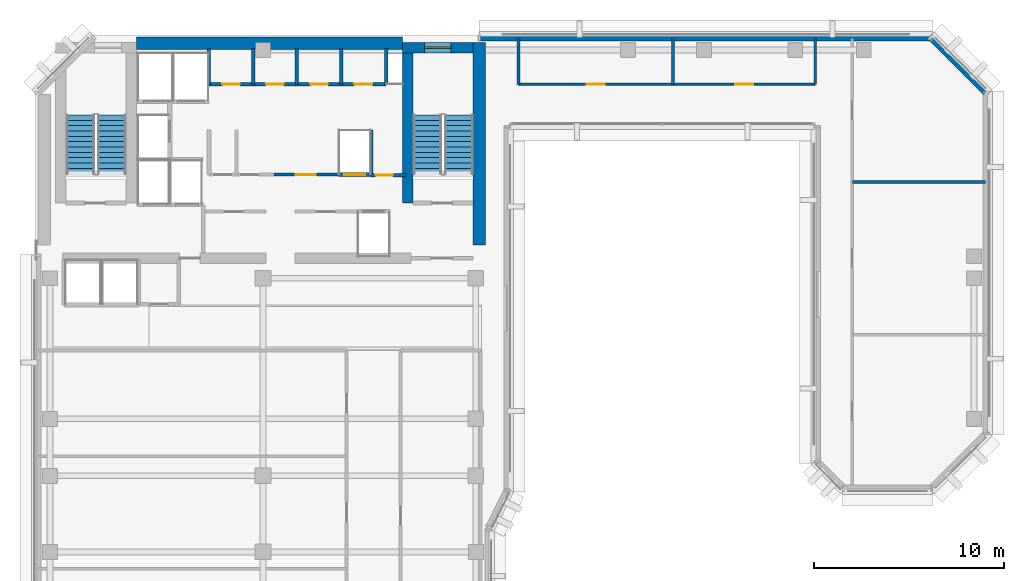
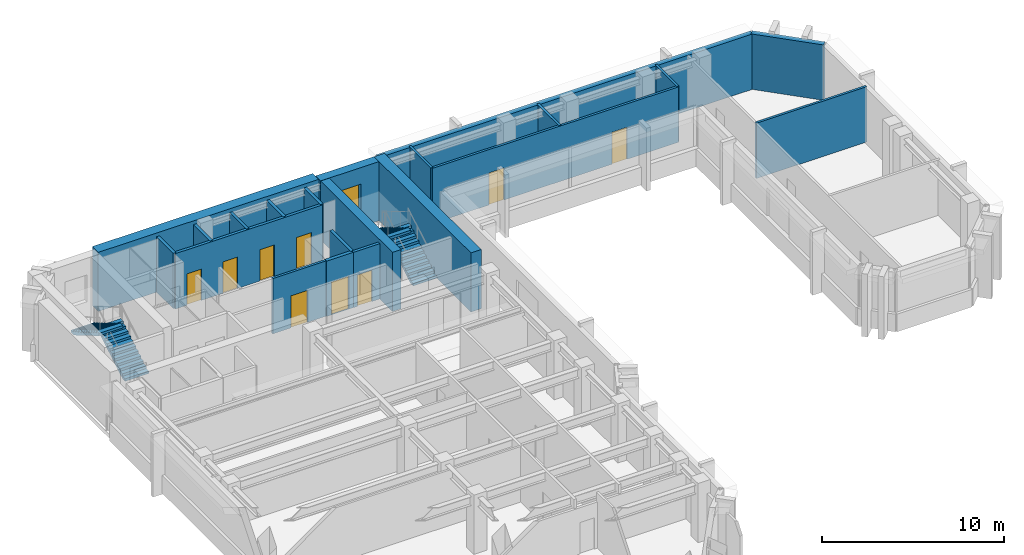
# One storey, part 7 of 11: 21 walls, 9 doors, 4 stair flights, 1 window, 10 openings, 2 elements without a shape of their own.
"""IFC4 building model written with IfcOpenShell, lengths in metres."""

from ifc_helpers import new_model, si_unit, direction, frame, frame_2d, origin, place, context, subcontext, project, spatial, polyline, rectangle, outline, extrude, material, layer, layer_set, type_object, element, fill, aggregate, save


model = new_model("IFC4")

# Units and contexts
model_context = context("Model", 3, precision=1e-05, world=origin(), true_north=direction((0.0, 1.0)))
body_context = subcontext(model_context, "Body", "Model", "MODEL_VIEW")
ifc_project = project(units=[si_unit("LENGTHUNIT", "METRE"), si_unit("AREAUNIT", "SQUARE_METRE"), si_unit("VOLUMEUNIT", "CUBIC_METRE"), si_unit("PLANEANGLEUNIT", "RADIAN"), si_unit("MASSUNIT", "GRAM", prefix="KILO")], contexts=[model_context])

# Site, building, storey
site_placement = place(None, origin())
site = spatial("IfcSite", under=ifc_project, at=site_placement, CompositionType="ELEMENT")
building_placement = place(site_placement, origin())
building = spatial("IfcBuilding", under=site, at=building_placement, Name="Kefirva Bronze Tower", CompositionType="ELEMENT")
storey_placement = place(building_placement, frame((0.0, 0.0, 219.780029296875)))
storey = spatial("IfcBuildingStorey", under=building, at=storey_placement, Name="L53", CompositionType="ELEMENT", Elevation=219.780029296875)

# Wall, opening, door
ifc_material_1 = material(Name="Gypsum acoustic partition")
ifc_layer_1 = layer(ifc_material_1, 0.14990234375, Name="Gypsum acoustic partition")
ifc_layer_set_1 = layer_set([ifc_layer_1], Name="Gypsum acoustic partition")
wall_type_1 = type_object("IfcWallType", Name="Executive Suite Partition 150mm", PredefinedType="PARTITIONING", material=ifc_layer_set_1)
wall_1_placement = place(storey_placement, frame((12.580078125, 38.64990234375, 0.0), z_axis=(0.0, 0.0, 1.0), x_axis=(1.0, 0.0, 0.0)))
wall_1 = element("IfcWall", 1, at=wall_1_placement, inside=storey, type_object=wall_type_1, Name="L53 Partition W-L53-RECMP2", PredefinedType="PARTITIONING", context=body_context, shape_type="SweptSolid", body=[
    extrude(rectangle(XDim=3.3798828125, YDim=0.14990234375, at=frame_2d((1.68994140625, 0.0))), origin(), (0.0, 0.0, 1.0), 3.7099609375),
])
opening_1_placement = place(wall_1_placement, frame((2.199951171875, 0.0, 0.0), z_axis=(0.0, 0.0, 1.0), x_axis=(-1.0, 0.0, 0.0)))
opening_1 = element("IfcOpeningElement", 2, at=opening_1_placement, cuts=wall_1, Name="Opening L53-D-RECMP2", PredefinedType="OPENING", context=body_context, shape_type="SweptSolid", body=[
    extrude(rectangle(XDim=1.050048828125, YDim=2.14990234375, at=frame_2d((0.52490234375, 1.074951171875))), frame((0.0, 0.0849609375, 0.0), z_axis=(0.0, -1.0, 0.0), x_axis=(1.0, 0.0, 0.0)), (0.0, 0.0, 1.0), 0.169921875),
])
ifc_material_2 = material(Name="Acoustic hardwood oak", Category="wood")
door_type_1 = type_object("IfcDoorType", Name="Executive & Boardroom Door 1050x2150", OperationType="NOTDEFINED", PredefinedType="DOOR", material=ifc_material_2)
door_1_placement = place(opening_1_placement, origin())
door_1 = element("IfcDoor", 3, at=door_1_placement, inside=storey, type_object=door_type_1, Name="Door L53-D-RECMP2", OperationType="SINGLE_SWING_LEFT", OverallHeight=2.14990234375, OverallWidth=1.050048828125, PredefinedType="DOOR", context=body_context, shape_type="SweptSolid", body=[
    extrude(rectangle(XDim=1.050048828125, YDim=2.14990234375, at=frame_2d((0.52490234375, 1.074951171875))), frame((0.0, 0.02490234375, 0.0), z_axis=(0.0, -1.0, 0.0), x_axis=(1.0, 0.0, 0.0)), (0.0, 0.0, 1.0), 0.050048828125),
])
fill(opening_1, door_1)

# Wall, openings, doors
wall_2_placement = place(storey_placement, frame((25.449951171875, 43.39990234375, 0.0), z_axis=(0.0, 0.0, 1.0), x_axis=(1.0, 0.0, 0.0)))
wall_2 = element("IfcWall", 4, at=wall_2_placement, inside=storey, type_object=wall_type_1, Name="L53 Partition W-L53-PBRGN", PredefinedType="PARTITIONING", context=body_context, shape_type="SweptSolid", body=[
    extrude(rectangle(XDim=15.60009765625, YDim=0.14990234375, at=frame_2d((7.800048828125, 0.0))), origin(), (0.0, 0.0, 1.0), 3.7099609375),
])
opening_2_placement = place(wall_2_placement, frame((3.5810546875, 0.0, 0.0)))
opening_2 = element("IfcOpeningElement", 5, at=opening_2_placement, cuts=wall_2, Name="Opening L53-D-PBN1", PredefinedType="OPENING", context=body_context, shape_type="SweptSolid", body=[
    extrude(rectangle(XDim=0.949951171875, YDim=2.14990234375, at=frame_2d((0.47509765625, 1.074951171875))), frame((0.0, 0.0849609375, 0.0), z_axis=(0.0, -1.0, 0.0), x_axis=(1.0, 0.0, 0.0)), (0.0, 0.0, 1.0), 0.169921875),
])
opening_3_placement = place(wall_2_placement, frame((11.381103515625, 0.0, 0.0)))
opening_3 = element("IfcOpeningElement", 6, at=opening_3_placement, cuts=wall_2, Name="Opening L53-D-PBN2", PredefinedType="OPENING", context=body_context, shape_type="SweptSolid", body=[
    extrude(rectangle(XDim=0.949951171875, YDim=2.14990234375, at=frame_2d((0.47509765625, 1.074951171875))), frame((0.0, 0.0849609375, 0.0), z_axis=(0.0, -1.0, 0.0), x_axis=(1.0, 0.0, 0.0)), (0.0, 0.0, 1.0), 0.169921875),
])
door_type_2 = type_object("IfcDoorType", Name="Office & Meeting Room Door 950x2150", OperationType="NOTDEFINED", PredefinedType="DOOR", material=ifc_material_2)
door_2_placement = place(opening_2_placement, origin())
door_2 = element("IfcDoor", 7, at=door_2_placement, inside=storey, type_object=door_type_2, Name="Door L53-D-PBN1", OperationType="SINGLE_SWING_RIGHT", OverallHeight=2.14990234375, OverallWidth=0.949951171875, PredefinedType="DOOR", context=body_context, shape_type="SweptSolid", body=[
    extrude(rectangle(XDim=0.949951171875, YDim=2.14990234375, at=frame_2d((0.47509765625, 1.074951171875))), frame((0.0, 0.02490234375, 0.0), z_axis=(0.0, -1.0, 0.0), x_axis=(1.0, 0.0, 0.0)), (0.0, 0.0, 1.0), 0.050048828125),
])
fill(opening_2, door_2)
door_3_placement = place(opening_3_placement, origin())
door_3 = element("IfcDoor", 8, at=door_3_placement, inside=storey, type_object=door_type_2, Name="Door L53-D-PBN2", OperationType="SINGLE_SWING_LEFT", OverallHeight=2.14990234375, OverallWidth=0.949951171875, PredefinedType="DOOR", context=body_context, shape_type="SweptSolid", body=[
    extrude(rectangle(XDim=0.949951171875, YDim=2.14990234375, at=frame_2d((0.47509765625, 1.074951171875))), frame((0.0, 0.02490234375, 0.0), z_axis=(0.0, -1.0, 0.0), x_axis=(1.0, 0.0, 0.0)), (0.0, 0.0, 1.0), 0.050048828125),
])
fill(opening_3, door_3)

# Walls
for number, where, z_axis, x_axis, name in (
    (9, (25.449951171875, 43.39990234375, 0.0), (0.0, 0.0, 1.0), (0.0, 1.0, 0.0), "L53 Partition W-L53-PBRGW"),
    (10, (41.050048828125, 43.39990234375, 0.0), (0.0, 0.0, 1.0), (0.0, 1.0, 0.0), "L53 Partition W-L53-PBRGE"),
    (11, (33.56201171875, 43.39990234375, 0.0), (0.0, 0.0, 1.0), (0.0, 1.0, 0.0), "L53 Partition W-L53-PBND1"),
):
    element("IfcWall", number, at=place(storey_placement, frame(where, z_axis=z_axis, x_axis=x_axis)), inside=storey, type_object=wall_type_1, Name=name, PredefinedType="PARTITIONING", context=body_context, shape_type="SweptSolid", body=[
        extrude(rectangle(XDim=2.41015625, YDim=0.14990234375, at=frame_2d((1.205078125, 0.0))), origin(), (0.0, 0.0, 1.0), 3.7099609375),
    ])
wall_3_placement = place(storey_placement, frame((43.0, 38.251708984375, 0.0), z_axis=(0.0, 0.0, 1.0), x_axis=(1.0, 0.0, 0.0)))
element("IfcWall", 12, at=wall_3_placement, inside=storey, type_object=wall_type_1, Name="L53 Partition W-L53-EPVD2", PredefinedType="PARTITIONING", context=body_context, shape_type="SweptSolid", body=[
    extrude(rectangle(XDim=7.010009765625, YDim=0.14990234375, at=frame_2d((3.5048828125, 0.0))), origin(), (0.0, 0.0, 1.0), 3.7099609375),
])
ifc_material_3 = material(Name="Gypsum fireboard shaftwall")
ifc_layer_2 = layer(ifc_material_3, 0.219970703125, Name="Gypsum fireboard shaftwall")
ifc_layer_set_2 = layer_set([ifc_layer_2], Name="Gypsum fireboard shaftwall")
wall_type_2 = type_object("IfcWallType", Name="Fire-Rated Shaft Enclosure Wall 220mm", PredefinedType="PARTITIONING", material=ifc_layer_set_2)
wall_4_placement = place(storey_placement, frame((17.679931640625, 38.64990234375, 0.0), z_axis=(0.0, 0.0, 1.0), x_axis=(0.0, 1.0, 0.0)))
element("IfcWall", 13, at=wall_4_placement, inside=storey, type_object=wall_type_2, Name="L53 Partition W-L53-HP2E", PredefinedType="PARTITIONING", context=body_context, shape_type="SweptSolid", body=[
    extrude(rectangle(XDim=2.35009765625, YDim=0.199951171875, at=frame_2d((1.175048828125, 0.0))), origin(), (0.0, 0.0, 1.0), 3.7099609375),
])

# Wall, opening, door
wall_5_placement = place(storey_placement, frame((15.97998046875, 38.64990234375, 0.0), z_axis=(0.0, 0.0, 1.0), x_axis=(1.0, 0.0, 0.0)))
wall_5 = element("IfcWall", 14, at=wall_5_placement, inside=storey, type_object=wall_type_2, Name="L53 Partition W-L53-HPN", PredefinedType="PARTITIONING", context=body_context, shape_type="SweptSolid", body=[
    extrude(rectangle(XDim=1.719970703125, YDim=0.219970703125, at=frame_2d((0.85986328125, 0.0))), origin(), (0.0, 0.0, 1.0), 3.7099609375),
])
opening_4_placement = place(wall_5_placement, frame((0.300048828125, 0.0, 0.0)))
opening_4 = element("IfcOpeningElement", 15, at=opening_4_placement, cuts=wall_5, Name="Opening L53-LD-HP2", PredefinedType="OPENING", context=body_context, shape_type="SweptSolid", body=[
    extrude(rectangle(XDim=1.10009765625, YDim=2.199951171875, at=frame_2d((0.550048828125, 1.10009765625))), frame((0.0, 0.1201171875, 0.0), z_axis=(0.0, -1.0, 0.0), x_axis=(1.0, 0.0, 0.0)), (0.0, 0.0, 1.0), 0.239990234375),
])
ifc_material_4 = material(Name="Stainless steel 316", Category="steel")
door_type_3 = type_object("IfcDoorType", Name="Passenger Lift Sliding Landing Door 1100x2200", OperationType="SLIDING_TO_LEFT", PredefinedType="DOOR", material=ifc_material_4)
door_4_placement = place(opening_4_placement, origin())
door_4 = element("IfcDoor", 16, at=door_4_placement, inside=storey, type_object=door_type_3, Name="Door L53-LD-HP2", OperationType="SLIDING_TO_LEFT", OverallHeight=2.199951171875, OverallWidth=1.10009765625, PredefinedType="DOOR", context=body_context, shape_type="SweptSolid", body=[
    extrude(rectangle(XDim=1.10009765625, YDim=2.199951171875, at=frame_2d((0.550048828125, 1.10009765625))), frame((0.0, 0.02490234375, 0.0), z_axis=(0.0, -1.0, 0.0), x_axis=(1.0, 0.0, 0.0)), (0.0, 0.0, 1.0), 0.050048828125),
])
fill(opening_4, door_4)

ifc_material_5 = material(Name="Gypsum fireboard barrier")
ifc_layer_3 = layer(ifc_material_5, 0.199951171875, Name="Gypsum fireboard barrier")
ifc_layer_set_3 = layer_set([ifc_layer_3], Name="Gypsum fireboard barrier")
wall_type_3 = type_object("IfcWallType", Name="Firefighting Lobby Barrier Wall 200mm", PredefinedType="PARTITIONING", material=ifc_layer_set_3)
wall_6_placement = place(storey_placement, frame((17.679931640625, 38.6201171875, 0.0), z_axis=(0.0, 0.0, 1.0), x_axis=(1.0, 0.0, 0.0)))
wall_6 = element("IfcWall", 17, at=wall_6_placement, inside=storey, type_object=wall_type_3, Name="L53 Partition W-L53-CPASS", PredefinedType="PARTITIONING", context=body_context, shape_type="SweptSolid", body=[
    extrude(rectangle(XDim=1.840087890625, YDim=0.179931640625, at=frame_2d((0.919921875, 0.0))), origin(), (0.0, 0.0, 1.0), 3.7099609375),
])
opening_5_placement = place(wall_6_placement, frame((0.239990234375, 0.0, 0.0)))
opening_5 = element("IfcOpeningElement", 18, at=opening_5_placement, cuts=wall_6, Name="Opening L53-D-CPAS", PredefinedType="OPENING", context=body_context, shape_type="SweptSolid", body=[
    extrude(rectangle(XDim=0.919921875, YDim=2.10009765625, at=frame_2d((0.4599609375, 1.050048828125))), frame((0.0, 0.10009765625, 0.0), z_axis=(0.0, -1.0, 0.0), x_axis=(1.0, 0.0, 0.0)), (0.0, 0.0, 1.0), 0.199951171875),
])
ifc_material_6 = material(Name="Moisture-resistant timber", Category="wood")
door_type_4 = type_object("IfcDoorType", Name="Accessible Sanitary & WC Door 920x2100", OperationType="NOTDEFINED", PredefinedType="DOOR", material=ifc_material_6)
door_5_placement = place(opening_5_placement, origin())
door_5 = element("IfcDoor", 19, at=door_5_placement, inside=storey, type_object=door_type_4, Name="Door L53-D-CPAS", OperationType="SINGLE_SWING_LEFT", OverallHeight=2.10009765625, OverallWidth=0.919921875, PredefinedType="DOOR", context=body_context, shape_type="SweptSolid", body=[
    extrude(rectangle(XDim=0.919921875, YDim=2.10009765625, at=frame_2d((0.4599609375, 1.050048828125))), frame((0.0, 0.02490234375, 0.0), z_axis=(0.0, -1.0, 0.0), x_axis=(1.0, 0.0, 0.0)), (0.0, 0.0, 1.0), 0.050048828125),
])
fill(opening_5, door_5)

# Walls
ifc_material_7 = material(Name="Precast concrete C40/50", Category="concrete")
ifc_layer_4 = layer(ifc_material_7, 0.320068359375, Name="Precast concrete C40/50")
ifc_layer_set_4 = layer_set([ifc_layer_4], Name="Precast concrete C40/50")
wall_type_4 = type_object("IfcWallType", Name="Precast Insulated Exterior Wall 320mm", PredefinedType="SOLIDWALL", material=ifc_layer_set_4)
wall_7_placement = place(storey_placement, frame((50.048095703125, 42.92578125, 0.0), z_axis=(0.0, 0.0, 1.0), x_axis=(-0.707136318428, 0.707077242712, 0.0)))
element("IfcWall", 20, at=wall_7_placement, inside=storey, type_object=wall_type_4, Name="L53 Exterior Facade Wall 10", PredefinedType="SOLIDWALL", context=body_context, shape_type="SweptSolid", body=[
    extrude(rectangle(XDim=4.132568359375, YDim=0.320068359375, at=frame_2d((2.06640625, 0.0))), origin(), (0.0, 0.0, 1.0), 3.7099609375),
])
wall_8_placement = place(storey_placement, frame((47.14501953125, 45.840087890625, 0.0), z_axis=(0.0, 0.0, 1.0), x_axis=(-1.0, 0.0, 0.0)))
element("IfcWall", 21, at=wall_8_placement, inside=storey, type_object=wall_type_4, Name="L53 Exterior Facade Wall 11", PredefinedType="SOLIDWALL", context=body_context, shape_type="SweptSolid", body=[
    extrude(rectangle(XDim=23.739990234375, YDim=0.320068359375, at=frame_2d((11.8701171875, 0.0))), origin(), (0.0, 0.0, 1.0), 3.7099609375),
])

# Wall, opening, window
ifc_material_8 = material(Name="Concrete C50/60", Category="concrete")
ifc_layer_5 = layer(ifc_material_8, 0.550048828125, Name="Concrete C50/60")
ifc_layer_set_5 = layer_set([ifc_layer_5], Name="Concrete C50/60")
wall_type_5 = type_object("IfcWallType", Name="RC Rear Core Exterior Wall 550mm", PredefinedType="SHEAR", material=ifc_layer_set_5)
wall_9_placement = place(storey_placement, frame((19.35009765625, 45.320068359375, 0.0), z_axis=(0.0, 0.0, 1.0), x_axis=(1.0, 0.0, 0.0)))
wall_9 = element("IfcWall", 22, at=wall_9_placement, inside=storey, type_object=wall_type_5, Name="L53 Stair 2 North Shear Wall", PredefinedType="SHEAR", context=body_context, shape_type="SweptSolid", body=[
    extrude(rectangle(XDim=3.68994140625, YDim=0.550048828125, at=frame_2d((1.844970703125, 0.0))), origin(), (0.0, 0.0, 1.0), 3.9599609375),
])
opening_6_placement = place(wall_9_placement, frame((1.14990234375, 0.0, 1.050048828125)))
opening_6 = element("IfcOpeningElement", 23, at=opening_6_placement, cuts=wall_9, Name="Opening WN-03", PredefinedType="OPENING", context=body_context, shape_type="SweptSolid", body=[
    extrude(rectangle(XDim=1.39990234375, YDim=1.800048828125, at=frame_2d((0.699951171875, 0.89990234375))), frame((0.0, 0.28515625, 0.0), z_axis=(0.0, -1.0, 0.0), x_axis=(1.0, 0.0, 0.0)), (0.0, 0.0, 1.0), 0.570068359375),
])
ifc_material_9 = material(Name="Laminated low-E double glazing", Category="glass")
window_type = type_object("IfcWindowType", Name="Rear-Core Stair Daylight Window 1400x1800", PartitioningType="SINGLE_PANEL", PredefinedType="WINDOW", material=ifc_material_9)
window_placement = place(opening_6_placement, origin())
window = element("IfcWindow", 24, at=window_placement, inside=storey, type_object=window_type, Name="L53 Stair 2 Daylight Window", OverallHeight=1.800048828125, OverallWidth=1.39990234375, PartitioningType="SINGLE_PANEL", PredefinedType="WINDOW", context=body_context, shape_type="SweptSolid", body=[
    extrude(rectangle(XDim=1.39990234375, YDim=1.800048828125, at=frame_2d((0.699951171875, 0.89990234375))), frame((0.0, 0.030029296875, 0.0), z_axis=(0.0, -1.0, 0.0), x_axis=(1.0, 0.0, 0.0)), (0.0, 0.0, 1.0), 0.06005859375),
])
fill(opening_6, window)

# Walls
ifc_layer_6 = layer(ifc_material_8, 0.64990234375, Name="Concrete C50/60")
ifc_layer_set_6 = layer_set([ifc_layer_6], Name="Concrete C50/60")
wall_type_6 = type_object("IfcWallType", Name="RC Rear Core Exterior Wall 650mm", PredefinedType="SHEAR", material=ifc_layer_set_6)
wall_10_placement = place(storey_placement, frame((5.360107421875, 45.550048828125, 0.0), z_axis=(0.0, 0.0, 1.0), x_axis=(1.0, 0.0, 0.0)))
element("IfcWall", 25, at=wall_10_placement, inside=storey, type_object=wall_type_6, Name="L53 Rear Core North Shear Wall", PredefinedType="SHEAR", context=body_context, shape_type="SweptSolid", body=[
    extrude(rectangle(XDim=13.97998046875, YDim=0.64990234375, at=frame_2d((6.989990234375, 0.0))), origin(), (0.0, 0.0, 1.0), 3.9599609375),
])
ifc_layer_7 = layer(ifc_material_8, 0.550048828125, Name="Concrete C50/60")
ifc_layer_set_7 = layer_set([ifc_layer_7], Name="Concrete C50/60")
wall_type_7 = type_object("IfcWallType", Name="RC Rear Core Interior Wall 550mm", PredefinedType="SHEAR", material=ifc_layer_set_7)
wall_11_placement = place(storey_placement, frame((19.6201171875, 37.14990234375, 0.0), z_axis=(0.0, 0.0, 1.0), x_axis=(0.0, 1.0, 0.0)))
element("IfcWall", 26, at=wall_11_placement, inside=storey, type_object=wall_type_7, Name="L53 Stair 2 West Shear Wall", PredefinedType="SHEAR", context=body_context, shape_type="SweptSolid", body=[
    extrude(rectangle(XDim=7.89013671875, YDim=0.550048828125, at=frame_2d((3.945068359375, 0.0))), origin(), (0.0, 0.0, 1.0), 3.9599609375),
])
ifc_layer_8 = layer(ifc_material_8, 0.64990234375, Name="Concrete C50/60")
ifc_layer_set_8 = layer_set([ifc_layer_8], Name="Concrete C50/60")
wall_type_8 = type_object("IfcWallType", Name="RC Rear Core Interior Wall 650mm", PredefinedType="SHEAR", material=ifc_layer_set_8)
wall_12_placement = place(storey_placement, frame((23.375, 34.949951171875, 0.0), z_axis=(0.0, 0.0, 1.0), x_axis=(0.0, 1.0, 0.0)))
element("IfcWall", 27, at=wall_12_placement, inside=storey, type_object=wall_type_8, Name="L53 Rear Core East Shear Wall", PredefinedType="SHEAR", context=body_context, shape_type="SweptSolid", body=[
    extrude(rectangle(XDim=10.64013671875, YDim=0.64990234375, at=frame_2d((5.320068359375, 0.0))), origin(), (0.0, 0.0, 1.0), 3.9599609375),
])

# Wall, openings, doors
ifc_material_10 = material(Name="Moisture-resistant partition")
ifc_layer_9 = layer(ifc_material_10, 0.179931640625, Name="Moisture-resistant partition")
ifc_layer_set_9 = layer_set([ifc_layer_9], Name="Moisture-resistant partition")
wall_type_9 = type_object("IfcWallType", Name="Sanitary Plumbing Chase Wall 180mm", PredefinedType="PLUMBINGWALL", material=ifc_layer_set_9)
wall_13_placement = place(storey_placement, frame((9.14990234375, 43.39990234375, 0.0), z_axis=(0.0, 0.0, 1.0), x_axis=(1.0, 0.0, 0.0)))
wall_13 = element("IfcWall", 28, at=wall_13_placement, inside=storey, type_object=wall_type_9, Name="L53 Partition W-L53-SVCS", PredefinedType="PLUMBINGWALL", context=body_context, shape_type="SweptSolid", body=[
    extrude(rectangle(XDim=9.330078125, YDim=0.179931640625, at=frame_2d((4.6650390625, 0.0))), origin(), (0.0, 0.0, 1.0), 3.7099609375),
])
opening_7_placement = place(wall_13_placement, frame((0.719970703125, 0.0, 0.0)))
opening_7 = element("IfcOpeningElement", 29, at=opening_7_placement, cuts=wall_13, Name="Opening L53-D-CSVC1", PredefinedType="OPENING", context=body_context, shape_type="SweptSolid", body=[
    extrude(rectangle(XDim=0.919921875, YDim=2.10009765625, at=frame_2d((0.4599609375, 1.050048828125))), frame((0.0, 0.10009765625, 0.0), z_axis=(0.0, -1.0, 0.0), x_axis=(1.0, 0.0, 0.0)), (0.0, 0.0, 1.0), 0.199951171875),
])
opening_8_placement = place(wall_13_placement, frame((3.02001953125, 0.0, 0.0)))
opening_8 = element("IfcOpeningElement", 30, at=opening_8_placement, cuts=wall_13, Name="Opening L53-D-CSVC2", PredefinedType="OPENING", context=body_context, shape_type="SweptSolid", body=[
    extrude(rectangle(XDim=0.919921875, YDim=2.10009765625, at=frame_2d((0.4599609375, 1.050048828125))), frame((0.0, 0.10009765625, 0.0), z_axis=(0.0, -1.0, 0.0), x_axis=(1.0, 0.0, 0.0)), (0.0, 0.0, 1.0), 0.199951171875),
])
opening_9_placement = place(wall_13_placement, frame((5.340087890625, 0.0, 0.0)))
opening_9 = element("IfcOpeningElement", 31, at=opening_9_placement, cuts=wall_13, Name="Opening L53-D-CSVC3", PredefinedType="OPENING", context=body_context, shape_type="SweptSolid", body=[
    extrude(rectangle(XDim=0.919921875, YDim=2.10009765625, at=frame_2d((0.4599609375, 1.050048828125))), frame((0.0, 0.10009765625, 0.0), z_axis=(0.0, -1.0, 0.0), x_axis=(1.0, 0.0, 0.0)), (0.0, 0.0, 1.0), 0.199951171875),
])
opening_10_placement = place(wall_13_placement, frame((7.659912109375, 0.0, 0.0)))
opening_10 = element("IfcOpeningElement", 32, at=opening_10_placement, cuts=wall_13, Name="Opening L53-D-CSVC4", PredefinedType="OPENING", context=body_context, shape_type="SweptSolid", body=[
    extrude(rectangle(XDim=0.949951171875, YDim=2.10009765625, at=frame_2d((0.47509765625, 1.050048828125))), frame((0.0, 0.10009765625, 0.0), z_axis=(0.0, -1.0, 0.0), x_axis=(1.0, 0.0, 0.0)), (0.0, 0.0, 1.0), 0.199951171875),
])
door_6_placement = place(opening_7_placement, origin())
door_6 = element("IfcDoor", 33, at=door_6_placement, inside=storey, type_object=door_type_4, Name="Door L53-D-CSVC1", OperationType="SINGLE_SWING_RIGHT", OverallHeight=2.10009765625, OverallWidth=0.919921875, PredefinedType="DOOR", context=body_context, shape_type="SweptSolid", body=[
    extrude(rectangle(XDim=0.919921875, YDim=2.10009765625, at=frame_2d((0.4599609375, 1.050048828125))), frame((0.0, 0.02490234375, 0.0), z_axis=(0.0, -1.0, 0.0), x_axis=(1.0, 0.0, 0.0)), (0.0, 0.0, 1.0), 0.050048828125),
])
fill(opening_7, door_6)
door_7_placement = place(opening_8_placement, origin())
door_7 = element("IfcDoor", 34, at=door_7_placement, inside=storey, type_object=door_type_4, Name="Door L53-D-CSVC2", OperationType="SINGLE_SWING_LEFT", OverallHeight=2.10009765625, OverallWidth=0.919921875, PredefinedType="DOOR", context=body_context, shape_type="SweptSolid", body=[
    extrude(rectangle(XDim=0.919921875, YDim=2.10009765625, at=frame_2d((0.4599609375, 1.050048828125))), frame((0.0, 0.02490234375, 0.0), z_axis=(0.0, -1.0, 0.0), x_axis=(1.0, 0.0, 0.0)), (0.0, 0.0, 1.0), 0.050048828125),
])
fill(opening_8, door_7)
door_8_placement = place(opening_9_placement, origin())
door_8 = element("IfcDoor", 35, at=door_8_placement, inside=storey, type_object=door_type_4, Name="Door L53-D-CSVC3", OperationType="SINGLE_SWING_RIGHT", OverallHeight=2.10009765625, OverallWidth=0.919921875, PredefinedType="DOOR", context=body_context, shape_type="SweptSolid", body=[
    extrude(rectangle(XDim=0.919921875, YDim=2.10009765625, at=frame_2d((0.4599609375, 1.050048828125))), frame((0.0, 0.02490234375, 0.0), z_axis=(0.0, -1.0, 0.0), x_axis=(1.0, 0.0, 0.0)), (0.0, 0.0, 1.0), 0.050048828125),
])
fill(opening_9, door_8)
ifc_material_11 = material(Name="Painted galvanized steel", Category="steel")
door_type_5 = type_object("IfcDoorType", Name="Riser & Plant Shaft Fire Door 950x2100 FD60S", OperationType="NOTDEFINED", PredefinedType="DOOR", material=ifc_material_11)
door_9_placement = place(opening_10_placement, origin())
door_9 = element("IfcDoor", 36, at=door_9_placement, inside=storey, type_object=door_type_5, Name="Door L53-D-CSVC4", OperationType="SINGLE_SWING_LEFT", OverallHeight=2.10009765625, OverallWidth=0.949951171875, PredefinedType="DOOR", context=body_context, shape_type="SweptSolid", body=[
    extrude(rectangle(XDim=0.949951171875, YDim=2.10009765625, at=frame_2d((0.47509765625, 1.050048828125))), frame((0.0, 0.02490234375, 0.0), z_axis=(0.0, -1.0, 0.0), x_axis=(1.0, 0.0, 0.0)), (0.0, 0.0, 1.0), 0.050048828125),
])
fill(opening_10, door_9)

# Walls
for number, where, z_axis, x_axis, name in (
    (37, (9.14990234375, 43.39990234375, 0.0), (0.0, 0.0, 1.0), (0.0, 1.0, 0.0), "L53 Partition W-L53-SVCW"),
    (38, (18.47998046875, 43.39990234375, 0.0), (0.0, 0.0, 1.0), (0.0, 1.0, 0.0), "L53 Partition W-L53-SVCE"),
    (39, (11.47998046875, 43.39990234375, 0.0), (0.0, 0.0, 1.0), (0.0, 1.0, 0.0), "L53 Partition W-L53-CSVD-1"),
    (40, (13.780029296875, 43.39990234375, 0.0), (0.0, 0.0, 1.0), (0.0, 1.0, 0.0), "L53 Partition W-L53-CSVD-2"),
    (41, (16.1201171875, 43.39990234375, 0.0), (0.0, 0.0, 1.0), (0.0, 1.0, 0.0), "L53 Partition W-L53-CSVD-3"),
):
    element("IfcWall", number, at=place(storey_placement, frame(where, z_axis=z_axis, x_axis=x_axis)), inside=storey, type_object=wall_type_9, Name=name, PredefinedType="PLUMBINGWALL", context=body_context, shape_type="SweptSolid", body=[
        extrude(rectangle(XDim=1.880126953125, YDim=0.179931640625, at=frame_2d((0.93994140625, 0.0))), origin(), (0.0, 0.0, 1.0), 3.7099609375),
    ])

# Stair, stair flights
ifc_material_12 = material(Name="Concrete C40/50", Category="concrete")
stair_type = type_object("IfcStairType", Name="RC Dogleg Protected Stair 24R", PredefinedType="HALF_TURN_STAIR", material=ifc_material_12)
stair_1_placement = place(storey_placement, origin())
stair_1 = element("IfcStair", 42, at=stair_1_placement, inside=storey, type_object=stair_type, Name="L53 Protected Exit Stair 1", PredefinedType="HALF_TURN_STAIR")
stair_flight_type = type_object("IfcStairFlightType", Name="RC Straight Stair Flight 24R", PredefinedType="STRAIGHT", material=ifc_material_12)
stair_flight_1_placement = place(storey_placement, frame((4.050048828125, 38.699951171875, 0.0), z_axis=(0.0, 0.0, 1.0), x_axis=(0.0, 1.0, 0.0)))
stair_flight_1 = element("IfcStairFlight", 43, at=stair_flight_1_placement, type_object=stair_flight_type, Name="ST-1 flight 1", NumberOfRisers=12, NumberOfTreads=11, PredefinedType="STRAIGHT", RiserHeight=0.165, TreadLength=0.28, context=body_context, shape_type="SweptSolid", body=[
    extrude(outline(polyline([(0.0, 0.0), (0.0, 0.1650390625), (0.280029296875, 0.1650390625), (0.280029296875, 0.330078125), (0.56005859375, 0.330078125), (0.56005859375, 0.4951171875), (0.840087890625, 0.4951171875), (0.840087890625, 0.659912109375), (1.1201171875, 0.659912109375), (1.1201171875, 0.824951171875), (1.39990234375, 0.824951171875), (1.39990234375, 0.989990234375), (1.679931640625, 0.989990234375), (1.679931640625, 1.155029296875), (1.9599609375, 1.155029296875), (1.9599609375, 1.320068359375), (2.239990234375, 1.320068359375), (2.239990234375, 1.485107421875), (2.52001953125, 1.485107421875), (2.52001953125, 1.64990234375), (2.800048828125, 1.64990234375), (2.800048828125, 1.81494140625), (3.080078125, 1.81494140625), (3.080078125, 1.97998046875), (3.080078125, 1.64111328125), (0.295166015625, 0.0), (0.0, 0.0)])), frame((0.0, 0.75, 0.0), z_axis=(0.0, -1.0, 0.0), x_axis=(1.0, 0.0, 0.0)), (0.0, 0.0, 1.0), 1.5),
])
stair_flight_2_placement = place(storey_placement, frame((2.39990234375, 41.780029296875, 1.97998046875), z_axis=(0.0, 0.0, 1.0), x_axis=(0.0, -1.0, 0.0)))
stair_flight_2 = element("IfcStairFlight", 44, at=stair_flight_2_placement, type_object=stair_flight_type, Name="ST-1 flight 2", NumberOfRisers=12, NumberOfTreads=11, PredefinedType="STRAIGHT", RiserHeight=0.165, TreadLength=0.28, context=body_context, shape_type="SweptSolid", body=[
    extrude(outline(polyline([(0.0, 0.0), (0.0, 0.1650390625), (0.280029296875, 0.1650390625), (0.280029296875, 0.330078125), (0.56005859375, 0.330078125), (0.56005859375, 0.4951171875), (0.840087890625, 0.4951171875), (0.840087890625, 0.659912109375), (1.1201171875, 0.659912109375), (1.1201171875, 0.824951171875), (1.39990234375, 0.824951171875), (1.39990234375, 0.989990234375), (1.679931640625, 0.989990234375), (1.679931640625, 1.155029296875), (1.9599609375, 1.155029296875), (1.9599609375, 1.320068359375), (2.239990234375, 1.320068359375), (2.239990234375, 1.485107421875), (2.52001953125, 1.485107421875), (2.52001953125, 1.64990234375), (2.800048828125, 1.64990234375), (2.800048828125, 1.81494140625), (3.080078125, 1.81494140625), (3.080078125, 1.97998046875), (3.080078125, 1.64111328125), (0.295166015625, 0.0), (0.0, 0.0)])), frame((0.0, 0.75, 0.0), z_axis=(0.0, -1.0, 0.0), x_axis=(1.0, 0.0, 0.0)), (0.0, 0.0, 1.0), 1.5),
])
aggregate(stair_1, [stair_flight_1, stair_flight_2])

stair_2_placement = place(storey_placement, origin())
stair_2 = element("IfcStair", 45, at=stair_2_placement, inside=storey, type_object=stair_type, Name="L53 Protected Exit Stair 2", PredefinedType="HALF_TURN_STAIR")
stair_flight_3_placement = place(storey_placement, frame((22.300048828125, 38.699951171875, 0.0), z_axis=(0.0, 0.0, 1.0), x_axis=(0.0, 1.0, 0.0)))
stair_flight_3 = element("IfcStairFlight", 46, at=stair_flight_3_placement, type_object=stair_flight_type, Name="ST-2 flight 1", NumberOfRisers=12, NumberOfTreads=11, PredefinedType="STRAIGHT", RiserHeight=0.165, TreadLength=0.28, context=body_context, shape_type="SweptSolid", body=[
    extrude(outline(polyline([(0.0, 0.0), (0.0, 0.1650390625), (0.280029296875, 0.1650390625), (0.280029296875, 0.330078125), (0.56005859375, 0.330078125), (0.56005859375, 0.4951171875), (0.840087890625, 0.4951171875), (0.840087890625, 0.659912109375), (1.1201171875, 0.659912109375), (1.1201171875, 0.824951171875), (1.39990234375, 0.824951171875), (1.39990234375, 0.989990234375), (1.679931640625, 0.989990234375), (1.679931640625, 1.155029296875), (1.9599609375, 1.155029296875), (1.9599609375, 1.320068359375), (2.239990234375, 1.320068359375), (2.239990234375, 1.485107421875), (2.52001953125, 1.485107421875), (2.52001953125, 1.64990234375), (2.800048828125, 1.64990234375), (2.800048828125, 1.81494140625), (3.080078125, 1.81494140625), (3.080078125, 1.97998046875), (3.080078125, 1.64111328125), (0.295166015625, 0.0), (0.0, 0.0)])), frame((0.0, 0.75, 0.0), z_axis=(0.0, -1.0, 0.0), x_axis=(1.0, 0.0, 0.0)), (0.0, 0.0, 1.0), 1.5),
])
stair_flight_4_placement = place(storey_placement, frame((20.64990234375, 41.780029296875, 1.97998046875), z_axis=(0.0, 0.0, 1.0), x_axis=(0.0, -1.0, 0.0)))
stair_flight_4 = element("IfcStairFlight", 47, at=stair_flight_4_placement, type_object=stair_flight_type, Name="ST-2 flight 2", NumberOfRisers=12, NumberOfTreads=11, PredefinedType="STRAIGHT", RiserHeight=0.165, TreadLength=0.28, context=body_context, shape_type="SweptSolid", body=[
    extrude(outline(polyline([(0.0, 0.0), (0.0, 0.1650390625), (0.280029296875, 0.1650390625), (0.280029296875, 0.330078125), (0.56005859375, 0.330078125), (0.56005859375, 0.4951171875), (0.840087890625, 0.4951171875), (0.840087890625, 0.659912109375), (1.1201171875, 0.659912109375), (1.1201171875, 0.824951171875), (1.39990234375, 0.824951171875), (1.39990234375, 0.989990234375), (1.679931640625, 0.989990234375), (1.679931640625, 1.155029296875), (1.9599609375, 1.155029296875), (1.9599609375, 1.320068359375), (2.239990234375, 1.320068359375), (2.239990234375, 1.485107421875), (2.52001953125, 1.485107421875), (2.52001953125, 1.64990234375), (2.800048828125, 1.64990234375), (2.800048828125, 1.81494140625), (3.080078125, 1.81494140625), (3.080078125, 1.97998046875), (3.080078125, 1.64111328125), (0.295166015625, 0.0), (0.0, 0.0)])), frame((0.0, 0.75, 0.0), z_axis=(0.0, -1.0, 0.0), x_axis=(1.0, 0.0, 0.0)), (0.0, 0.0, 1.0), 1.5),
])
aggregate(stair_2, [stair_flight_3, stair_flight_4])

save(model, "model.ifc")
